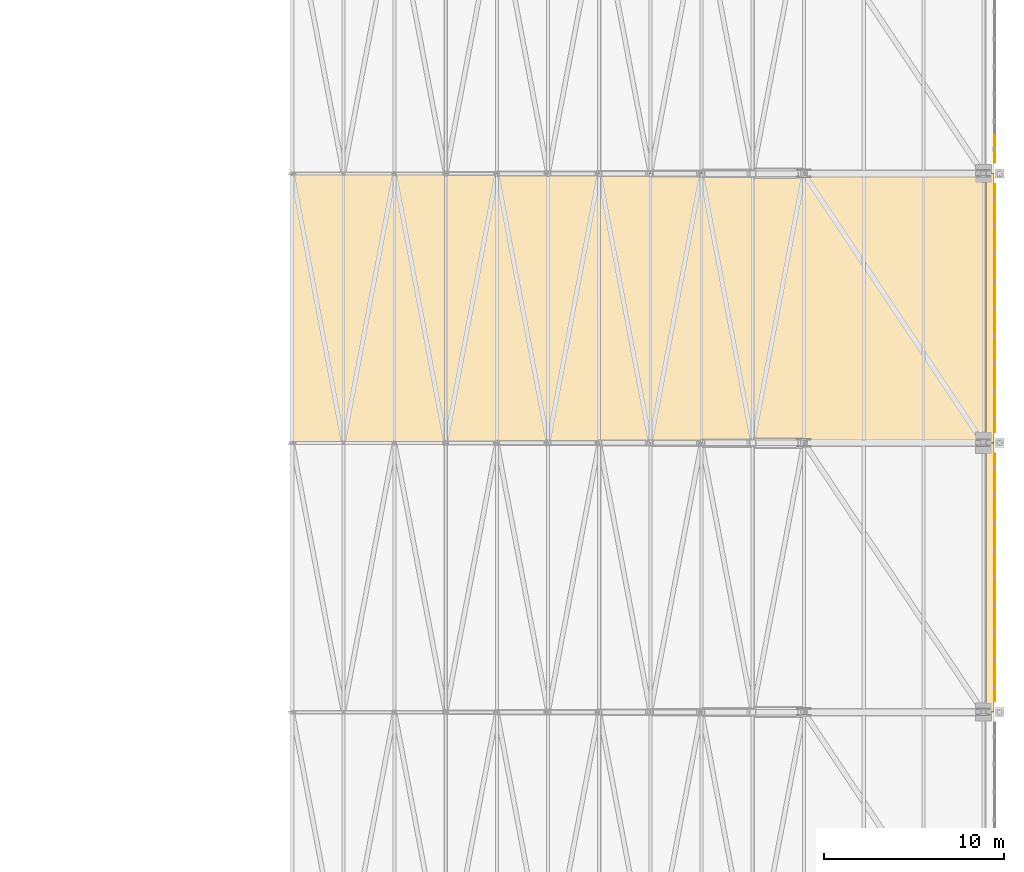
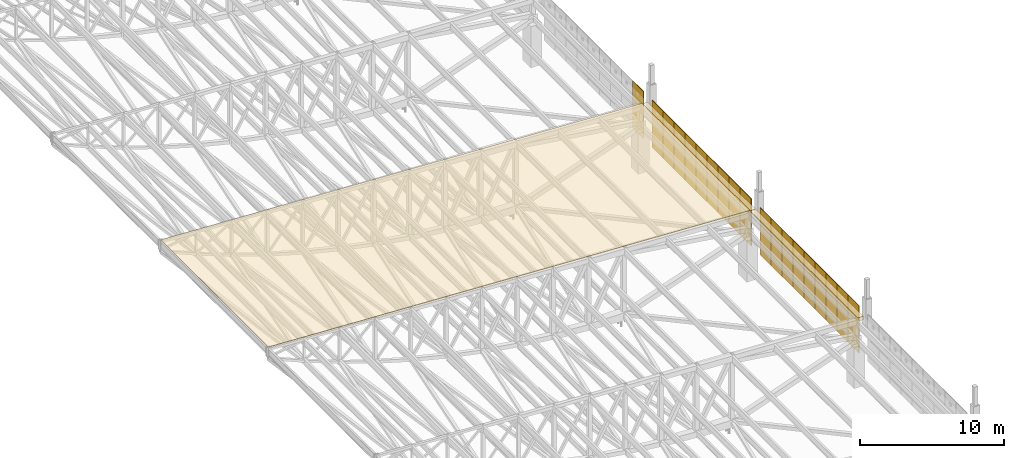
# One storey, part 275 of 278: 19 shading devices, 3 coverings.
"""IFC4 building model written with IfcOpenShell, lengths in metres."""

from ifc_helpers import new_model, si_unit, direction, frame, origin, origin_2d, place, context, subcontext, project, spatial, polyline, rectangle, outline, extrude, material, layer, layer_set, type_object, element, save


model = new_model("IFC4")

# Units and contexts
model_context = context("Model", 3, precision=1e-05, world=origin(), true_north=direction((0.0, 1.0)))
body_context = subcontext(model_context, "Body", "Model", "MODEL_VIEW")
ifc_project = project(units=[si_unit("LENGTHUNIT", "METRE"), si_unit("AREAUNIT", "SQUARE_METRE"), si_unit("VOLUMEUNIT", "CUBIC_METRE"), si_unit("PLANEANGLEUNIT", "RADIAN"), si_unit("MASSUNIT", "GRAM", prefix="KILO")], contexts=[model_context])

# Site, building, storey
site_placement = place(None, origin())
site = spatial("IfcSite", under=ifc_project, at=site_placement, CompositionType="ELEMENT")
building_placement = place(site_placement, origin())
building = spatial("IfcBuilding", under=site, at=building_placement, Name="Ogive Plaza Stadium", CompositionType="ELEMENT")
storey_placement = place(building_placement, frame((0.0, 0.0, 29.0)))
storey = spatial("IfcBuildingStorey", under=building, at=storey_placement, Name="Roof", CompositionType="ELEMENT", Elevation=29.0)

# Coverings
ifc_material_1 = material(Name="Titanium-zinc sheet", Category="metal")
ifc_layer_1 = layer(ifc_material_1, 0.010009765625)
ifc_layer_set_1 = layer_set([ifc_layer_1], Name="Eave box gutter")
covering_type_1 = type_object("IfcCoveringType", Name="Eave box gutter", PredefinedType="CLADDING", material=ifc_layer_set_1)
for number, where, z_axis, x_axis, name in (
    (1, (84.37744140625, 15.0, 5.2001953125), (0.0, 0.0, 1.0), (0.0, -1.0, 0.0), "EAVE GUTTER B03"),
    (2, (84.37744140625, 0.0, 5.2001953125), (0.0, 0.0, 1.0), (0.0, -1.0, 0.0), "EAVE GUTTER B04"),
):
    element("IfcCovering", number, at=place(storey_placement, frame(where, z_axis=z_axis, x_axis=x_axis)), inside=storey, type_object=covering_type_1, Name=name, PredefinedType="CLADDING", context=body_context, shape_type="SweptSolid", body=[
        extrude(rectangle(XDim=15.0, YDim=0.449951171875, at=origin_2d()), origin(), (0.0, 0.0, 1.0), 0.300048828125),
    ])
ifc_material_2 = material(Name="PTFE-coated glass-fibre membrane", Category="glass")
ifc_layer_2 = layer(ifc_material_2, 0.050048828125)
ifc_layer_set_2 = layer_set([ifc_layer_2], Name="Roof membrane panel")
covering_type_2 = type_object("IfcCoveringType", Name="Roof membrane panel", PredefinedType="ROOFING", material=ifc_layer_set_2)
covering_placement = place(storey_placement, frame((45.5, 22.5, 7.47509765625), z_axis=(0.049937616944, 0.0, 0.998752338878), x_axis=(0.998752338878, 0.0, -0.049937616944)))
element("IfcCovering", 3, at=covering_placement, inside=storey, type_object=covering_type_2, Name="ROOF PANEL B03", PredefinedType="ROOFING", context=body_context, shape_type="SweptSolid", body=[
    extrude(outline(polyline([(0.0, 0.0), (38.7006290202315, 0.0), (38.7006290202315, -15.0), (0.0, -15.0), (0.0, 0.0)])), origin(), (0.0, 0.0, -1.0), 0.050048828125),
])

# Shading devices
ifc_material_3 = material(Name="Perforated bronze-anodised aluminium", Category="aluminium")
ifc_layer_3 = layer(ifc_material_3, 0.050048828125)
ifc_layer_set_3 = layer_set([ifc_layer_3], Name="Tracery screen panel")
shading_device_type = type_object("IfcShadingDeviceType", Name="Tracery screen panel", PredefinedType="SHUTTER", material=ifc_layer_set_3)
for number, where, z_axis, x_axis, name in (
    (4, (84.62744140625, 23.86669921875, 2.0), (0.0, 0.0, 1.0), (0.0, -1.0, 0.0), "TRACERY SCREEN B02 9"),
    (5, (84.62744140625, 21.13330078125, 2.0), (0.0, 0.0, 1.0), (0.0, -1.0, 0.0), "TRACERY SCREEN B03 1"),
    (6, (84.62744140625, 19.60009765625, 2.0), (0.0, 0.0, 1.0), (0.0, -1.0, 0.0), "TRACERY SCREEN B03 2"),
    (7, (84.62744140625, 18.066650390625, 2.0), (0.0, 0.0, 1.0), (0.0, -1.0, 0.0), "TRACERY SCREEN B03 3"),
    (8, (84.62744140625, 16.533447265625, 2.0), (0.0, 0.0, 1.0), (0.0, -1.0, 0.0), "TRACERY SCREEN B03 4"),
    (9, (84.62744140625, 15.0, 2.0), (0.0, 0.0, 1.0), (0.0, -1.0, 0.0), "TRACERY SCREEN B03 5"),
    (10, (84.62744140625, 13.466552734375, 2.0), (0.0, 0.0, 1.0), (0.0, -1.0, 0.0), "TRACERY SCREEN B03 6"),
    (11, (84.62744140625, 11.933349609375, 2.0), (0.0, 0.0, 1.0), (0.0, -1.0, 0.0), "TRACERY SCREEN B03 7"),
    (12, (84.62744140625, 10.39990234375, 2.0), (0.0, 0.0, 1.0), (0.0, -1.0, 0.0), "TRACERY SCREEN B03 8"),
    (13, (84.62744140625, 8.86669921875, 2.0), (0.0, 0.0, 1.0), (0.0, -1.0, 0.0), "TRACERY SCREEN B03 9"),
    (14, (84.62744140625, 6.13330078125, 2.0), (0.0, 0.0, 1.0), (0.0, -1.0, 0.0), "TRACERY SCREEN B04 1"),
    (15, (84.62744140625, 4.60009765625, 2.0), (0.0, 0.0, 1.0), (0.0, -1.0, 0.0), "TRACERY SCREEN B04 2"),
    (16, (84.62744140625, 3.066650390625, 2.0), (0.0, 0.0, 1.0), (0.0, -1.0, 0.0), "TRACERY SCREEN B04 3"),
    (17, (84.62744140625, 1.533447265625, 2.0), (0.0, 0.0, 1.0), (0.0, -1.0, 0.0), "TRACERY SCREEN B04 4"),
    (18, (84.62744140625, 0.0, 2.0), (0.0, 0.0, 1.0), (0.0, -1.0, 0.0), "TRACERY SCREEN B04 5"),
    (19, (84.62744140625, -1.533447265625, 2.0), (0.0, 0.0, 1.0), (0.0, -1.0, 0.0), "TRACERY SCREEN B04 6"),
    (20, (84.62744140625, -3.066650390625, 2.0), (0.0, 0.0, 1.0), (0.0, -1.0, 0.0), "TRACERY SCREEN B04 7"),
    (21, (84.62744140625, -4.60009765625, 2.0), (0.0, 0.0, 1.0), (0.0, -1.0, 0.0), "TRACERY SCREEN B04 8"),
    (22, (84.62744140625, -6.13330078125, 2.0), (0.0, 0.0, 1.0), (0.0, -1.0, 0.0), "TRACERY SCREEN B04 9"),
):
    element("IfcShadingDevice", number, at=place(storey_placement, frame(where, z_axis=z_axis, x_axis=x_axis)), inside=storey, type_object=shading_device_type, Name=name, PredefinedType="SHUTTER", context=body_context, shape_type="SweptSolid", body=[
        extrude(rectangle(XDim=1.533447265625, YDim=0.050048828125, at=origin_2d()), origin(), (0.0, 0.0, 1.0), 4.0),
    ])

save(model, "model.ifc")
